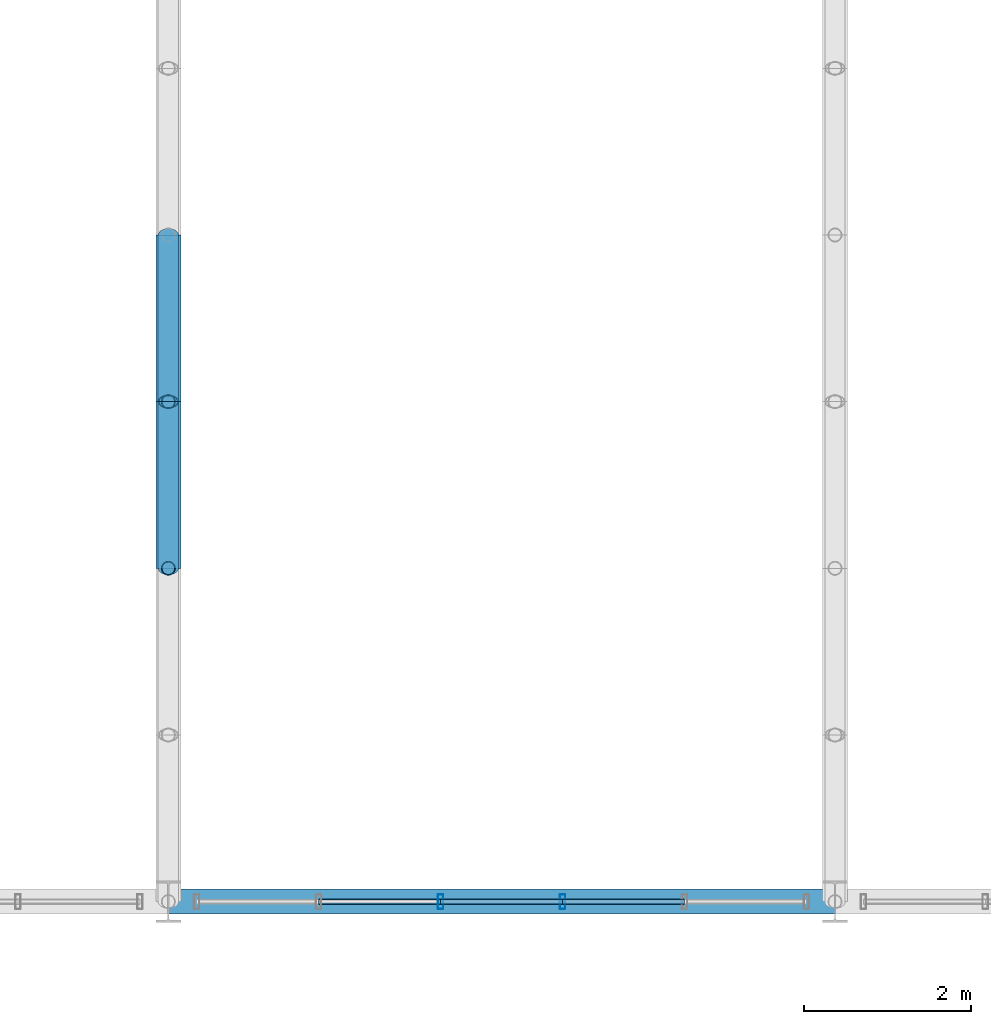
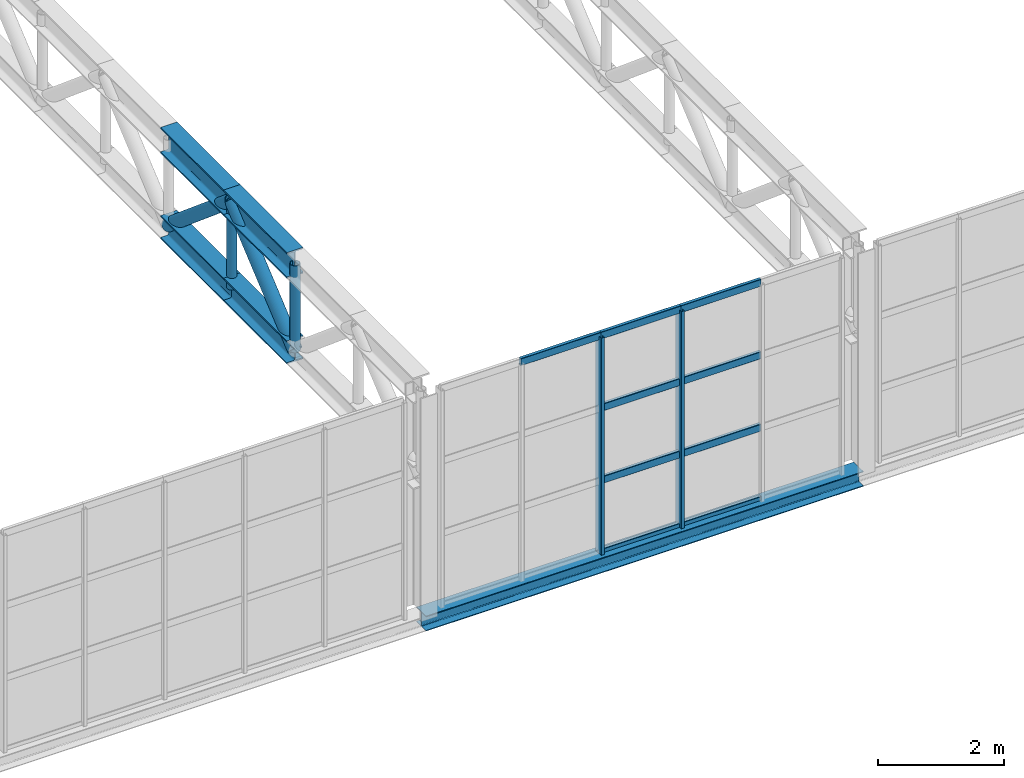
# One storey, part 41 of 143: 19 members, 1 beam, 1 element without a shape of its own.
"""IFC4 building model written with IfcOpenShell, lengths in metres."""

import ifcopenshell
import ifcopenshell.guid

model = None  # the IFC model being written
_history = None  # IfcOwnerHistory: only IFC2X3 demands one
_inside = {}  # id of a spatial element -> (the spatial element, [elements in it])
_under = {}  # id of a project, library or spatial element -> (it, [spatial elements below it])
_declared = {}  # id of a project -> (the project, [libraries it declares])
_typed = {}  # id of a type object -> (the type object, [elements of that type])
_made_of = {}  # id of a material, layer set ... -> (it, [elements and type objects made of it])


def new_model(schema):
    """Start an empty IFC model of exactly this schema.

    Asked for "IFC4X3", IfcOpenShell would pick the latest addendum, in which some entities
    have other attributes; the version numbers below select the first issue.
    IFC2X3 requires an IfcOwnerHistory on every rooted entity: one is made here for all.
    """
    global model, _history
    if schema == "IFC4X3":
        model = ifcopenshell.file(schema_version=(4, 3, 0, 0))
    else:
        model = ifcopenshell.file(schema=schema)
    _inside.clear()
    _under.clear()
    _declared.clear()
    _typed.clear()
    _made_of.clear()
    _history = None
    if model.schema == "IFC2X3":
        org = make("IfcOrganization", Name="unknown")
        user = make(
            "IfcPersonAndOrganization",
            ThePerson=make("IfcPerson", FamilyName="unknown"),
            TheOrganization=org,
        )
        app = make(
            "IfcApplication",
            ApplicationDeveloper=org,
            Version="unknown",
            ApplicationFullName="unknown",
            ApplicationIdentifier="unknown",
        )
        _history = make(
            "IfcOwnerHistory",
            OwningUser=user,
            OwningApplication=app,
            ChangeAction="ADDED",
            CreationDate=0,
        )
    return model


def make(cls, **values):
    """One entity of the class cls with the attributes given. An attribute that is None is left unset."""
    return model.create_entity(
        cls, **{name: value for name, value in values.items() if value is not None}
    )


def rooted(cls, **values):
    """An entity with a GlobalId (a new one), such as an element, a storey or a relation."""
    return make(cls, GlobalId=ifcopenshell.guid.new(), OwnerHistory=_history, **values)


def si_unit(unit_type, name, prefix=None):
    """IfcSIUnit, for example si_unit("LENGTHUNIT", "METRE", prefix="MILLI")."""
    return make("IfcSIUnit", UnitType=unit_type, Prefix=prefix, Name=name)


def derived_unit(unit_type, elements):
    """IfcDerivedUnit: a product of units, each with its exponent."""
    return make(
        "IfcDerivedUnit",
        Elements=[
            make("IfcDerivedUnitElement", Unit=unit, Exponent=power)
            for unit, power in elements
        ],
        UnitType=unit_type,
    )


def assignment(units):
    """IfcUnitAssignment: the units of a project."""
    return None if units is None else make("IfcUnitAssignment", Units=units)


def point(xyz):
    """IfcCartesianPoint."""
    return None if xyz is None else make("IfcCartesianPoint", Coordinates=xyz)


def direction(xyz):
    """IfcDirection."""
    return None if xyz is None else make("IfcDirection", DirectionRatios=xyz)


def frame(location, z_axis=None, x_axis=None):
    """IfcAxis2Placement3D, a coordinate frame: its origin and axes. An axis left out is left unset."""
    return make(
        "IfcAxis2Placement3D",
        Location=point(location),
        Axis=direction(z_axis),
        RefDirection=direction(x_axis),
    )


def frame_2d(location, x_axis=None):
    """IfcAxis2Placement2D, a coordinate frame in the plane: its origin and x axis."""
    return make(
        "IfcAxis2Placement2D", Location=point(location), RefDirection=direction(x_axis)
    )


def origin():
    """The frame at (0, 0, 0) with its axes left unset."""
    return frame((0.0, 0.0, 0.0))


def origin_2d():
    """The frame at (0, 0) in the plane with its x axis left unset."""
    return frame_2d((0.0, 0.0))


def place(relative_to, where):
    """IfcLocalPlacement: puts the frame where relative to a parent placement (None: the world)."""
    return make(
        "IfcLocalPlacement", PlacementRelTo=relative_to, RelativePlacement=where
    )


def context(
    kind, dimensions, precision=None, world=None, true_north=None, identifier=None
):
    """IfcGeometricRepresentationContext, for example the 3D "Model" context."""
    return make(
        "IfcGeometricRepresentationContext",
        ContextIdentifier=identifier,
        ContextType=kind,
        CoordinateSpaceDimension=dimensions,
        Precision=precision,
        WorldCoordinateSystem=world,
        TrueNorth=true_north,
    )


def subcontext(parent, identifier, kind, view, scale=None):
    """IfcGeometricRepresentationSubContext, for example "Body" below "Model"."""
    return make(
        "IfcGeometricRepresentationSubContext",
        ContextIdentifier=identifier,
        ContextType=kind,
        ParentContext=parent,
        TargetScale=scale,
        TargetView=view,
    )


def project(units=None, contexts=None):
    """IfcProject with its units and contexts."""
    return rooted(
        "IfcProject",
        Name="project",
        RepresentationContexts=contexts,
        UnitsInContext=assignment(units),
    )


def spatial(cls, under=None, at=None, **own):
    """A site, building, storey or space (cls), placed at a placement, below another one or the project."""
    s = rooted(cls, ObjectPlacement=at, **own)
    if under is not None:
        _under.setdefault(under.id(), (under, []))[1].append(s)
    return s


def profile(cls, at=None, kind="AREA", **sizes):
    """A parametric profile (cls). Its sizes go by their IFC names, for example OverallWidth=200.0."""
    return make(cls, ProfileType=kind, Position=at, **sizes)


def hollow_rectangle(**sizes):
    """IfcRectangleHollowProfileDef."""
    return profile("IfcRectangleHollowProfileDef", **sizes)


def hollow_circle(**sizes):
    """IfcCircleHollowProfileDef."""
    return profile("IfcCircleHollowProfileDef", **sizes)


def i_section(**sizes):
    """IfcIShapeProfileDef."""
    return profile("IfcIShapeProfileDef", **sizes)


def extrude(swept, where, along, depth):
    """IfcExtrudedAreaSolid: the profile swept, set in the frame where, extruded along a direction by depth."""
    return make(
        "IfcExtrudedAreaSolid",
        SweptArea=swept,
        Position=where,
        ExtrudedDirection=direction(along),
        Depth=depth,
    )


def shape(context_of_items, identifier, shape_type, items):
    """IfcShapeRepresentation: the items that make up one representation, for example the "Body"."""
    return make(
        "IfcShapeRepresentation",
        ContextOfItems=context_of_items,
        RepresentationIdentifier=identifier,
        RepresentationType=shape_type,
        Items=items,
    )


def material(Name=None, Category=None):
    """IfcMaterial."""
    return make("IfcMaterial", Name=Name, Category=Category)


def material_profile(
    of_material, cross_section, Name=None, Category=None, Priority=None
):
    """IfcMaterialProfile: a cross section and its material."""
    return make(
        "IfcMaterialProfile",
        Name=Name,
        Material=of_material,
        Profile=cross_section,
        Priority=Priority,
        Category=Category,
    )


def profile_set(profiles, Name=None, composite=None):
    """IfcMaterialProfileSet."""
    return make(
        "IfcMaterialProfileSet",
        Name=Name,
        MaterialProfiles=profiles,
        CompositeProfile=composite,
    )


def made_of(thing, what):
    """Note that an element or type object is made of a material, layer set ...; save() writes the relation."""
    if what is not None:
        _made_of.setdefault(what.id(), (what, []))[1].append(thing)
    return thing


def type_object(cls, material=None, **own):
    """A type object (cls), such as IfcWallType, which elements share."""
    return made_of(rooted(cls, **own), material)


def element(
    cls,
    number,
    at=None,
    inside=None,
    cuts=None,
    type_object=None,
    material=None,
    context=None,
    identifier="Body",
    shape_type=None,
    held_by="IfcProductDefinitionShape",
    body=None,
    shapes=None,
    **own,
):
    """One element of the class cls, such as IfcWall. Its Tag is "e" and its number.

    at: its placement. inside: the storey or other place that contains it. cuts: it is an
    opening in that element (IfcRelVoidsElement). A single representation is given by context,
    identifier, shape_type and body (its items); several are given by shapes. held_by: the class
    of the entity that holds the representations. save() writes the other relations.
    """
    e = rooted(cls, Tag="e%d" % number, ObjectPlacement=at, **own)
    if body is not None:
        shapes = [shape(context, identifier, shape_type, body)]
    if shapes is not None:
        e.Representation = make(held_by, Representations=shapes)
    if inside is not None:
        _inside.setdefault(inside.id(), (inside, []))[1].append(e)
    if cuts is not None:
        rooted(
            "IfcRelVoidsElement", RelatingBuildingElement=cuts, RelatedOpeningElement=e
        )
    if type_object is not None:
        _typed.setdefault(type_object.id(), (type_object, []))[1].append(e)
    return made_of(e, material)


def aggregate(whole, parts):
    """IfcRelAggregates: a whole, such as a stair, and the parts it consists of."""
    return rooted("IfcRelAggregates", RelatingObject=whole, RelatedObjects=parts)


def save(model, path):
    """Write the relations noted so far, then the file.

    IfcRelAggregates (storeys below a building ...), IfcRelContainedInSpatialStructure (elements
    in a storey), IfcRelDefinesByType, IfcRelAssociatesMaterial and IfcRelDeclares: one each for
    every whole, place, type object, material and project.
    """
    for whole, parts in _under.values():
        aggregate(whole, parts)
    for where, things in _inside.values():
        rooted(
            "IfcRelContainedInSpatialStructure",
            RelatedElements=things,
            RelatingStructure=where,
        )
    for kind, things in _typed.values():
        rooted("IfcRelDefinesByType", RelatedObjects=things, RelatingType=kind)
    for what, things in _made_of.values():
        rooted("IfcRelAssociatesMaterial", RelatedObjects=things, RelatingMaterial=what)
    for by, libraries in _declared.values():
        rooted("IfcRelDeclares", RelatingContext=by, RelatedDefinitions=libraries)
    model.write(path)


model = new_model("IFC4")

# Units and contexts
model_context = context("Model", 3, precision=1e-05, world=origin(), true_north=direction((0.0, 1.0)))
body_context = subcontext(model_context, "Body", "Model", "MODEL_VIEW")
ifc_project = project(units=[si_unit("LENGTHUNIT", "METRE"), si_unit("AREAUNIT", "SQUARE_METRE"), si_unit("VOLUMEUNIT", "CUBIC_METRE"), si_unit("PLANEANGLEUNIT", "RADIAN"), si_unit("MASSUNIT", "GRAM", prefix="KILO"), derived_unit("THERMALTRANSMITTANCEUNIT", [(si_unit("POWERUNIT", "WATT"), 1), (si_unit("LENGTHUNIT", "METRE"), -2), (si_unit("THERMODYNAMICTEMPERATUREUNIT", "KELVIN"), -1)])], contexts=[model_context])

# Site, building, storey
site_placement = place(None, origin())
site = spatial("IfcSite", under=ifc_project, at=site_placement, CompositionType="ELEMENT")
building_placement = place(site_placement, origin())
building = spatial("IfcBuilding", under=site, at=building_placement, Name="Keldorne Ridge Multi-Sports Centre", CompositionType="ELEMENT")
storey_placement = place(building_placement, frame((0.0, 0.0, 4.800048828125)))
storey = spatial("IfcBuildingStorey", under=building, at=storey_placement, Name="L01", CompositionType="ELEMENT", Elevation=4.800048828125)

# Beam
ifc_material_1 = material(Name="Steel S355", Category="steel")
ifc_material_profile_1 = material_profile(ifc_material_1, i_section(OverallWidth=0.300048828125, OverallDepth=0.2900390625, WebThickness=0.008544921875, FlangeThickness=0.013916015625, FilletRadius=0.027099609375, at=origin_2d()), Name="HEA 300")
ifc_profile_set_1 = profile_set([ifc_material_profile_1], Name="Steel S355")
beam_type = type_object("IfcBeamType", Name="BM-SP-04", PredefinedType="SPANDREL", material=ifc_profile_set_1)
beam_placement = place(storey_placement, frame((128.0, 6.0, -0.150146484375), z_axis=(1.0, 0.0, 0.0), x_axis=(0.0, 1.0, 0.0)))
element("IfcBeam", 1, at=beam_placement, inside=storey, type_object=beam_type, Name="Stacked Courts spandrel L01.6.4", PredefinedType="SPANDREL", context=body_context, shape_type="SweptSolid", body=[
    extrude(i_section(OverallWidth=0.300048828125, OverallDepth=0.2900390625, WebThickness=0.008544921875, FlangeThickness=0.013916015625, FilletRadius=0.027099609375, at=origin_2d()), origin(), (0.0, 0.0, 1.0), 8.0),
])

# Curtain wall, members
ifc_material_2 = material(Name="Anodized aluminium", Category="aluminium")
curtain_wall_type = type_object("IfcCurtainWallType", Name="CW-CW-02", PredefinedType="NOTDEFINED", material=ifc_material_2)
curtain_wall_placement = place(storey_placement, origin())
curtain_wall = element("IfcCurtainWall", 2, at=curtain_wall_placement, inside=storey, type_object=curtain_wall_type, Name="Lower Courts high clerestory 106", PredefinedType="NOTDEFINED")
ifc_material_profile_2 = material_profile(ifc_material_2, hollow_rectangle(XDim=0.06494140625, YDim=0.179931640625, WallThickness=0.00439453125, InnerFilletRadius=0.00439453125, OuterFilletRadius=0.009033203125, at=origin_2d()), Name="ALU MULLION 180x65x4.5")
ifc_profile_set_2 = profile_set([ifc_material_profile_2], Name="Anodized aluminium")
member_type_1 = type_object("IfcMemberType", Name="MEM-ML-01", PredefinedType="MULLION", material=ifc_profile_set_2)
member_1_placement = place(storey_placement, frame((131.26806640625, 6.0, 0.0), z_axis=(0.0, 0.0, 1.0), x_axis=(1.0, 0.0, 0.0)))
member_1 = element("IfcMember", 3, at=member_1_placement, type_object=member_type_1, Name="CW-106 vertical mullion 3", PredefinedType="MULLION", context=body_context, shape_type="SweptSolid", body=[
    extrude(hollow_rectangle(XDim=0.06494140625, YDim=0.179931640625, WallThickness=0.00439453125, InnerFilletRadius=0.00439453125, OuterFilletRadius=0.009033203125, at=origin_2d()), origin(), (0.0, 0.0, 1.0), 4.199951171875),
])
member_2_placement = place(storey_placement, frame((132.73193359375, 6.0, 0.0), z_axis=(0.0, 0.0, 1.0), x_axis=(1.0, 0.0, 0.0)))
member_2 = element("IfcMember", 4, at=member_2_placement, type_object=member_type_1, Name="CW-106 vertical mullion 4", PredefinedType="MULLION", context=body_context, shape_type="SweptSolid", body=[
    extrude(hollow_rectangle(XDim=0.06494140625, YDim=0.179931640625, WallThickness=0.00439453125, InnerFilletRadius=0.00439453125, OuterFilletRadius=0.009033203125, at=origin_2d()), origin(), (0.0, 0.0, 1.0), 4.199951171875),
])

# Members
ifc_material_profile_3 = material_profile(ifc_material_1, i_section(OverallWidth=0.300048828125, OverallDepth=0.5, WebThickness=0.014404296875, FlangeThickness=0.028076171875, FilletRadius=0.027099609375, at=origin_2d()), Name="HEB 500")
ifc_profile_set_3 = profile_set([ifc_material_profile_3], Name="Steel S355")
member_type_2 = type_object("IfcMemberType", Name="MEM-TC-03", PredefinedType="CHORD", material=ifc_profile_set_3)
for number, where, z_axis, x_axis, name in (
    (5, (128.0, 10.0, 4.31005859375), (0.0, 1.0, 0.0), (-1.0, 0.0, 0.0), "Stacked Courts Warren TRUSS WT-L02-04 top chord 3"),
    (6, (128.0, 12.0, 4.31005859375), (0.0, 1.0, 0.0), (-1.0, 0.0, 0.0), "Stacked Courts Warren TRUSS WT-L02-04 top chord 4"),
):
    element("IfcMember", number, at=place(storey_placement, frame(where, z_axis=z_axis, x_axis=x_axis)), inside=storey, type_object=member_type_2, Name=name, PredefinedType="CHORD", context=body_context, shape_type="SweptSolid", body=[
        extrude(i_section(OverallWidth=0.300048828125, OverallDepth=0.5, WebThickness=0.014404296875, FlangeThickness=0.028076171875, FilletRadius=0.027099609375, at=origin_2d()), origin(), (0.0, 0.0, 1.0), 2.0),
    ])
ifc_material_profile_4 = material_profile(ifc_material_1, i_section(OverallWidth=0.300048828125, OverallDepth=0.449951171875, WebThickness=0.013916015625, FlangeThickness=0.02587890625, FilletRadius=0.027099609375, at=origin_2d()), Name="HEB 450")
ifc_profile_set_4 = profile_set([ifc_material_profile_4], Name="Steel S355")
member_type_3 = type_object("IfcMemberType", Name="MEM-TC-04", PredefinedType="CHORD", material=ifc_profile_set_4)
for number, where, z_axis, x_axis, name in (
    (7, (128.0, 10.0, 2.6298828125), (0.0, 1.0, 0.0), (-1.0, 0.0, 0.0), "Stacked Courts Warren TRUSS WT-L02-04 bottom chord 3"),
    (8, (128.0, 12.0, 2.6298828125), (0.0, 1.0, 0.0), (-1.0, 0.0, 0.0), "Stacked Courts Warren TRUSS WT-L02-04 bottom chord 4"),
):
    element("IfcMember", number, at=place(storey_placement, frame(where, z_axis=z_axis, x_axis=x_axis)), inside=storey, type_object=member_type_3, Name=name, PredefinedType="CHORD", context=body_context, shape_type="SweptSolid", body=[
        extrude(i_section(OverallWidth=0.300048828125, OverallDepth=0.449951171875, WebThickness=0.013916015625, FlangeThickness=0.02587890625, FilletRadius=0.027099609375, at=origin_2d()), origin(), (0.0, 0.0, 1.0), 2.0),
    ])
ifc_material_profile_5 = material_profile(ifc_material_1, hollow_circle(Radius=0.122314453125, WallThickness=0.012451171875, at=origin_2d()), Name="CHS 244.5x12.5")
ifc_profile_set_5 = profile_set([ifc_material_profile_5], Name="Steel S355")
member_type_4 = type_object("IfcMemberType", Name="MEM-TD-02", PredefinedType="BRACE", material=ifc_profile_set_5)
for number, where, z_axis, x_axis, name in (
    (9, (128.0, 10.0, 2.6298828125), (0.0, 0.765671721121, 0.643231541108), (-1.0, 0.0, 0.0), "Stacked Courts Warren TRUSS WT-L02-04 diagonal 3"),
    (10, (128.0, 12.0, 4.31005859375), (0.0, 0.765671721121, -0.643231541108), (-1.0, 0.0, 0.0), "Stacked Courts Warren TRUSS WT-L02-04 diagonal 4"),
):
    element("IfcMember", number, at=place(storey_placement, frame(where, z_axis=z_axis, x_axis=x_axis)), inside=storey, type_object=member_type_4, Name=name, PredefinedType="BRACE", context=body_context, shape_type="SweptSolid", body=[
        extrude(hollow_circle(Radius=0.122314453125, WallThickness=0.012451171875, at=origin_2d()), origin(), (0.0, 0.0, 1.0), 2.612060546875),
    ])

# Member
ifc_material_profile_6 = material_profile(ifc_material_2, hollow_rectangle(XDim=0.06494140625, YDim=0.139892578125, WallThickness=0.00439453125, InnerFilletRadius=0.00439453125, OuterFilletRadius=0.009033203125, at=origin_2d()), Name="ALU TRANSOM 140x65x4.5")
ifc_profile_set_6 = profile_set([ifc_material_profile_6], Name="Anodized aluminium")
member_type_5 = type_object("IfcMemberType", Name="MEM-TR-01", PredefinedType="USERDEFINED", material=ifc_profile_set_6)
member_3_placement = place(storey_placement, frame((129.803955078125, 6.0, 4.199951171875), z_axis=(1.0, 0.0, 0.0), x_axis=(0.0, 1.0, 0.0)))
member_3 = element("IfcMember", 11, at=member_3_placement, type_object=member_type_5, Name="CW-106 transom 2.4", ObjectType="TRANSOM", PredefinedType="USERDEFINED", context=body_context, shape_type="SweptSolid", body=[
    extrude(hollow_rectangle(XDim=0.06494140625, YDim=0.139892578125, WallThickness=0.00439453125, InnerFilletRadius=0.00439453125, OuterFilletRadius=0.009033203125, at=origin_2d()), origin(), (0.0, 0.0, 1.0), 1.464111328125),
])

member_4_placement = place(storey_placement, frame((131.26806640625, 6.0, 0.0), z_axis=(1.0, 0.0, 0.0), x_axis=(0.0, 1.0, 0.0)))
member_4 = element("IfcMember", 12, at=member_4_placement, type_object=member_type_5, Name="CW-106 transom 3.1", ObjectType="TRANSOM", PredefinedType="USERDEFINED", context=body_context, shape_type="SweptSolid", body=[
    extrude(hollow_rectangle(XDim=0.06494140625, YDim=0.139892578125, WallThickness=0.00439453125, InnerFilletRadius=0.00439453125, OuterFilletRadius=0.009033203125, at=origin_2d()), origin(), (0.0, 0.0, 1.0), 1.4638671875),
])

member_5_placement = place(storey_placement, frame((131.26806640625, 6.0, 1.39990234375), z_axis=(1.0, 0.0, 0.0), x_axis=(0.0, 1.0, 0.0)))
member_5 = element("IfcMember", 13, at=member_5_placement, type_object=member_type_5, Name="CW-106 transom 3.2", ObjectType="TRANSOM", PredefinedType="USERDEFINED", context=body_context, shape_type="SweptSolid", body=[
    extrude(hollow_rectangle(XDim=0.06494140625, YDim=0.139892578125, WallThickness=0.00439453125, InnerFilletRadius=0.00439453125, OuterFilletRadius=0.009033203125, at=origin_2d()), origin(), (0.0, 0.0, 1.0), 1.4638671875),
])

member_6_placement = place(storey_placement, frame((131.26806640625, 6.0, 2.800048828125), z_axis=(1.0, 0.0, 0.0), x_axis=(0.0, 1.0, 0.0)))
member_6 = element("IfcMember", 14, at=member_6_placement, type_object=member_type_5, Name="CW-106 transom 3.3", ObjectType="TRANSOM", PredefinedType="USERDEFINED", context=body_context, shape_type="SweptSolid", body=[
    extrude(hollow_rectangle(XDim=0.06494140625, YDim=0.139892578125, WallThickness=0.00439453125, InnerFilletRadius=0.00439453125, OuterFilletRadius=0.009033203125, at=origin_2d()), origin(), (0.0, 0.0, 1.0), 1.4638671875),
])

member_7_placement = place(storey_placement, frame((131.26806640625, 6.0, 4.199951171875), z_axis=(1.0, 0.0, 0.0), x_axis=(0.0, 1.0, 0.0)))
member_7 = element("IfcMember", 15, at=member_7_placement, type_object=member_type_5, Name="CW-106 transom 3.4", ObjectType="TRANSOM", PredefinedType="USERDEFINED", context=body_context, shape_type="SweptSolid", body=[
    extrude(hollow_rectangle(XDim=0.06494140625, YDim=0.139892578125, WallThickness=0.00439453125, InnerFilletRadius=0.00439453125, OuterFilletRadius=0.009033203125, at=origin_2d()), origin(), (0.0, 0.0, 1.0), 1.4638671875),
])

member_8_placement = place(storey_placement, frame((132.73193359375, 6.0, 0.0), z_axis=(1.0, 0.0, 0.0), x_axis=(0.0, 1.0, 0.0)))
member_8 = element("IfcMember", 16, at=member_8_placement, type_object=member_type_5, Name="CW-106 transom 4.1", ObjectType="TRANSOM", PredefinedType="USERDEFINED", context=body_context, shape_type="SweptSolid", body=[
    extrude(hollow_rectangle(XDim=0.06494140625, YDim=0.139892578125, WallThickness=0.00439453125, InnerFilletRadius=0.00439453125, OuterFilletRadius=0.009033203125, at=origin_2d()), origin(), (0.0, 0.0, 1.0), 1.464111328125),
])

member_9_placement = place(storey_placement, frame((132.73193359375, 6.0, 1.39990234375), z_axis=(1.0, 0.0, 0.0), x_axis=(0.0, 1.0, 0.0)))
member_9 = element("IfcMember", 17, at=member_9_placement, type_object=member_type_5, Name="CW-106 transom 4.2", ObjectType="TRANSOM", PredefinedType="USERDEFINED", context=body_context, shape_type="SweptSolid", body=[
    extrude(hollow_rectangle(XDim=0.06494140625, YDim=0.139892578125, WallThickness=0.00439453125, InnerFilletRadius=0.00439453125, OuterFilletRadius=0.009033203125, at=origin_2d()), origin(), (0.0, 0.0, 1.0), 1.464111328125),
])

member_10_placement = place(storey_placement, frame((132.73193359375, 6.0, 2.800048828125), z_axis=(1.0, 0.0, 0.0), x_axis=(0.0, 1.0, 0.0)))
member_10 = element("IfcMember", 18, at=member_10_placement, type_object=member_type_5, Name="CW-106 transom 4.3", ObjectType="TRANSOM", PredefinedType="USERDEFINED", context=body_context, shape_type="SweptSolid", body=[
    extrude(hollow_rectangle(XDim=0.06494140625, YDim=0.139892578125, WallThickness=0.00439453125, InnerFilletRadius=0.00439453125, OuterFilletRadius=0.009033203125, at=origin_2d()), origin(), (0.0, 0.0, 1.0), 1.464111328125),
])

member_11_placement = place(storey_placement, frame((132.73193359375, 6.0, 4.199951171875), z_axis=(1.0, 0.0, 0.0), x_axis=(0.0, 1.0, 0.0)))
member_11 = element("IfcMember", 19, at=member_11_placement, type_object=member_type_5, Name="CW-106 transom 4.4", ObjectType="TRANSOM", PredefinedType="USERDEFINED", context=body_context, shape_type="SweptSolid", body=[
    extrude(hollow_rectangle(XDim=0.06494140625, YDim=0.139892578125, WallThickness=0.00439453125, InnerFilletRadius=0.00439453125, OuterFilletRadius=0.009033203125, at=origin_2d()), origin(), (0.0, 0.0, 1.0), 1.464111328125),
])

aggregate(curtain_wall, [member_1, member_2, member_3, member_4, member_5, member_6, member_7, member_8, member_9, member_10, member_11])

# Members
ifc_material_profile_7 = material_profile(ifc_material_1, hollow_circle(Radius=0.084228515625, WallThickness=0.010009765625, at=origin_2d()), Name="CHS 168.3x10")
ifc_profile_set_7 = profile_set([ifc_material_profile_7], Name="Steel S355")
member_type_6 = type_object("IfcMemberType", Name="MEM-TV-01", PredefinedType="STRUT", material=ifc_profile_set_7)
for number, where, z_axis, x_axis, name in (
    (20, (128.0, 10.0, 2.6298828125), (0.0, 0.0, 1.0), (1.0, 0.0, 0.0), "Stacked Courts Warren TRUSS WT-L02-04 post 3"),
    (21, (128.0, 12.0, 2.6298828125), (0.0, 0.0, 1.0), (1.0, 0.0, 0.0), "Stacked Courts Warren TRUSS WT-L02-04 post 4"),
):
    element("IfcMember", number, at=place(storey_placement, frame(where, z_axis=z_axis, x_axis=x_axis)), inside=storey, type_object=member_type_6, Name=name, PredefinedType="STRUT", context=body_context, shape_type="SweptSolid", body=[
        extrude(hollow_circle(Radius=0.084228515625, WallThickness=0.010009765625, at=origin_2d()), origin(), (0.0, 0.0, 1.0), 1.68017578125),
    ])

save(model, "model.ifc")
